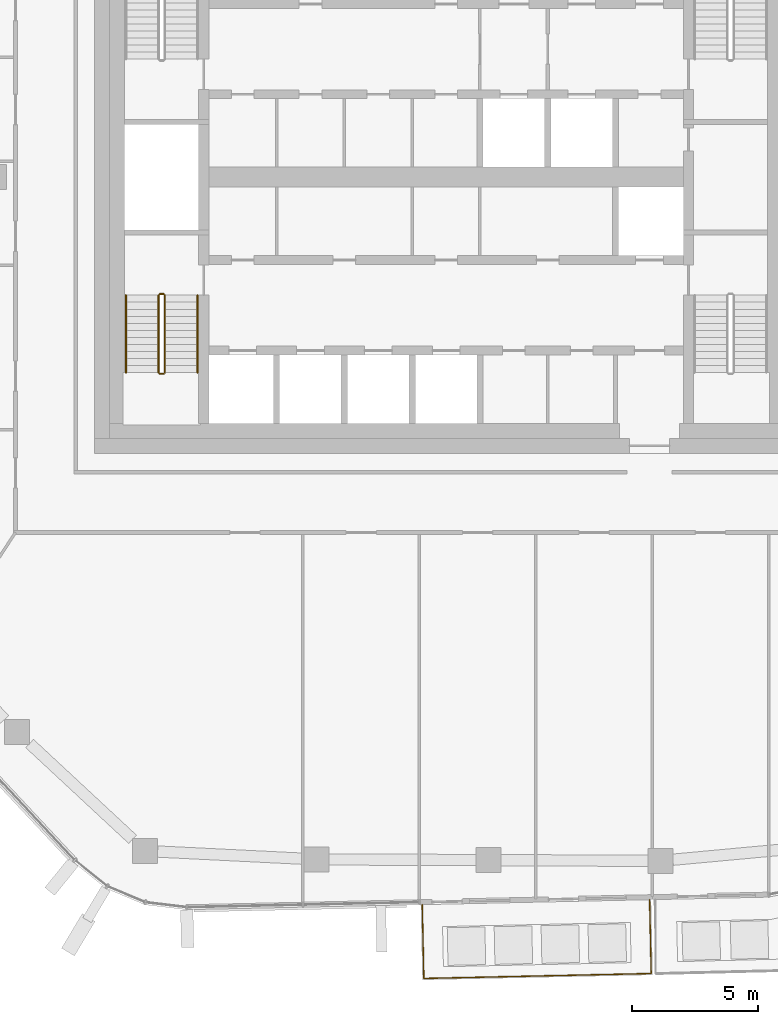
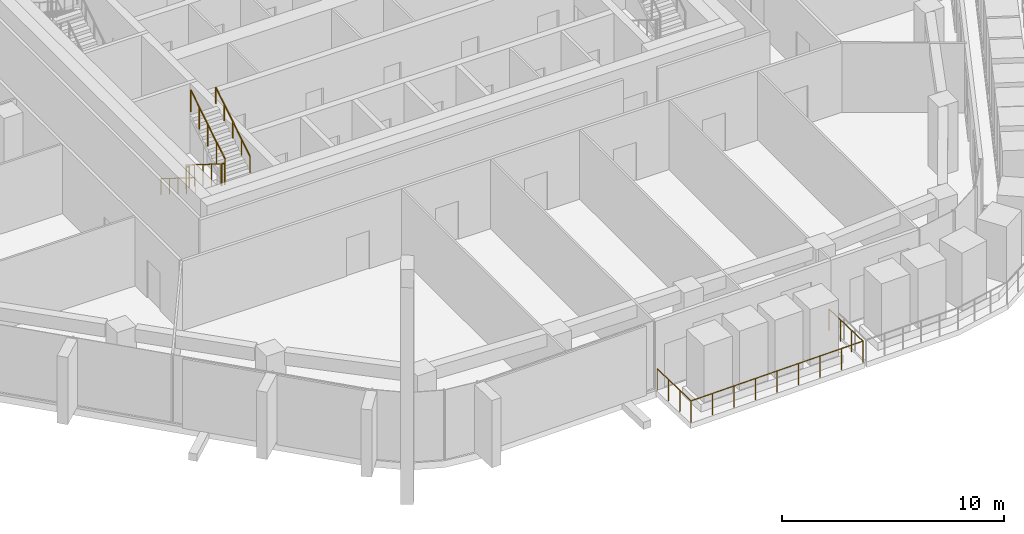
# One storey, part 19 of 24: 7 railings.
"""IFC4 building model written with IfcOpenShell, lengths in metres."""

import ifcopenshell
import ifcopenshell.guid

model = None  # the IFC model being written
_history = None  # IfcOwnerHistory: only IFC2X3 demands one
_inside = {}  # id of a spatial element -> (the spatial element, [elements in it])
_under = {}  # id of a project, library or spatial element -> (it, [spatial elements below it])
_declared = {}  # id of a project -> (the project, [libraries it declares])
_typed = {}  # id of a type object -> (the type object, [elements of that type])
_made_of = {}  # id of a material, layer set ... -> (it, [elements and type objects made of it])


def new_model(schema):
    """Start an empty IFC model of exactly this schema.

    Asked for "IFC4X3", IfcOpenShell would pick the latest addendum, in which some entities
    have other attributes; the version numbers below select the first issue.
    IFC2X3 requires an IfcOwnerHistory on every rooted entity: one is made here for all.
    """
    global model, _history
    if schema == "IFC4X3":
        model = ifcopenshell.file(schema_version=(4, 3, 0, 0))
    else:
        model = ifcopenshell.file(schema=schema)
    _inside.clear()
    _under.clear()
    _declared.clear()
    _typed.clear()
    _made_of.clear()
    _history = None
    if model.schema == "IFC2X3":
        org = make("IfcOrganization", Name="unknown")
        user = make(
            "IfcPersonAndOrganization",
            ThePerson=make("IfcPerson", FamilyName="unknown"),
            TheOrganization=org,
        )
        app = make(
            "IfcApplication",
            ApplicationDeveloper=org,
            Version="unknown",
            ApplicationFullName="unknown",
            ApplicationIdentifier="unknown",
        )
        _history = make(
            "IfcOwnerHistory",
            OwningUser=user,
            OwningApplication=app,
            ChangeAction="ADDED",
            CreationDate=0,
        )
    return model


def make(cls, **values):
    """One entity of the class cls with the attributes given. An attribute that is None is left unset."""
    return model.create_entity(
        cls, **{name: value for name, value in values.items() if value is not None}
    )


def rooted(cls, **values):
    """An entity with a GlobalId (a new one), such as an element, a storey or a relation."""
    return make(cls, GlobalId=ifcopenshell.guid.new(), OwnerHistory=_history, **values)


def si_unit(unit_type, name, prefix=None):
    """IfcSIUnit, for example si_unit("LENGTHUNIT", "METRE", prefix="MILLI")."""
    return make("IfcSIUnit", UnitType=unit_type, Prefix=prefix, Name=name)


def assignment(units):
    """IfcUnitAssignment: the units of a project."""
    return None if units is None else make("IfcUnitAssignment", Units=units)


def point(xyz):
    """IfcCartesianPoint."""
    return None if xyz is None else make("IfcCartesianPoint", Coordinates=xyz)


def direction(xyz):
    """IfcDirection."""
    return None if xyz is None else make("IfcDirection", DirectionRatios=xyz)


def frame(location, z_axis=None, x_axis=None):
    """IfcAxis2Placement3D, a coordinate frame: its origin and axes. An axis left out is left unset."""
    return make(
        "IfcAxis2Placement3D",
        Location=point(location),
        Axis=direction(z_axis),
        RefDirection=direction(x_axis),
    )


def frame_2d(location, x_axis=None):
    """IfcAxis2Placement2D, a coordinate frame in the plane: its origin and x axis."""
    return make(
        "IfcAxis2Placement2D", Location=point(location), RefDirection=direction(x_axis)
    )


def origin():
    """The frame at (0, 0, 0) with its axes left unset."""
    return frame((0.0, 0.0, 0.0))


def origin_2d():
    """The frame at (0, 0) in the plane with its x axis left unset."""
    return frame_2d((0.0, 0.0))


def place(relative_to, where):
    """IfcLocalPlacement: puts the frame where relative to a parent placement (None: the world)."""
    return make(
        "IfcLocalPlacement", PlacementRelTo=relative_to, RelativePlacement=where
    )


def context(
    kind, dimensions, precision=None, world=None, true_north=None, identifier=None
):
    """IfcGeometricRepresentationContext, for example the 3D "Model" context."""
    return make(
        "IfcGeometricRepresentationContext",
        ContextIdentifier=identifier,
        ContextType=kind,
        CoordinateSpaceDimension=dimensions,
        Precision=precision,
        WorldCoordinateSystem=world,
        TrueNorth=true_north,
    )


def subcontext(parent, identifier, kind, view, scale=None):
    """IfcGeometricRepresentationSubContext, for example "Body" below "Model"."""
    return make(
        "IfcGeometricRepresentationSubContext",
        ContextIdentifier=identifier,
        ContextType=kind,
        ParentContext=parent,
        TargetScale=scale,
        TargetView=view,
    )


def project(units=None, contexts=None):
    """IfcProject with its units and contexts."""
    return rooted(
        "IfcProject",
        Name="project",
        RepresentationContexts=contexts,
        UnitsInContext=assignment(units),
    )


def spatial(cls, under=None, at=None, **own):
    """A site, building, storey or space (cls), placed at a placement, below another one or the project."""
    s = rooted(cls, ObjectPlacement=at, **own)
    if under is not None:
        _under.setdefault(under.id(), (under, []))[1].append(s)
    return s


def profile(cls, at=None, kind="AREA", **sizes):
    """A parametric profile (cls). Its sizes go by their IFC names, for example OverallWidth=200.0."""
    return make(cls, ProfileType=kind, Position=at, **sizes)


def circle(**sizes):
    """IfcCircleProfileDef."""
    return profile("IfcCircleProfileDef", **sizes)


def extrude(swept, where, along, depth):
    """IfcExtrudedAreaSolid: the profile swept, set in the frame where, extruded along a direction by depth."""
    return make(
        "IfcExtrudedAreaSolid",
        SweptArea=swept,
        Position=where,
        ExtrudedDirection=direction(along),
        Depth=depth,
    )


def shape(context_of_items, identifier, shape_type, items):
    """IfcShapeRepresentation: the items that make up one representation, for example the "Body"."""
    return make(
        "IfcShapeRepresentation",
        ContextOfItems=context_of_items,
        RepresentationIdentifier=identifier,
        RepresentationType=shape_type,
        Items=items,
    )


def material(Name=None, Category=None):
    """IfcMaterial."""
    return make("IfcMaterial", Name=Name, Category=Category)


def made_of(thing, what):
    """Note that an element or type object is made of a material, layer set ...; save() writes the relation."""
    if what is not None:
        _made_of.setdefault(what.id(), (what, []))[1].append(thing)
    return thing


def type_object(cls, material=None, **own):
    """A type object (cls), such as IfcWallType, which elements share."""
    return made_of(rooted(cls, **own), material)


def element(
    cls,
    number,
    at=None,
    inside=None,
    cuts=None,
    type_object=None,
    material=None,
    context=None,
    identifier="Body",
    shape_type=None,
    held_by="IfcProductDefinitionShape",
    body=None,
    shapes=None,
    **own,
):
    """One element of the class cls, such as IfcWall. Its Tag is "e" and its number.

    at: its placement. inside: the storey or other place that contains it. cuts: it is an
    opening in that element (IfcRelVoidsElement). A single representation is given by context,
    identifier, shape_type and body (its items); several are given by shapes. held_by: the class
    of the entity that holds the representations. save() writes the other relations.
    """
    e = rooted(cls, Tag="e%d" % number, ObjectPlacement=at, **own)
    if body is not None:
        shapes = [shape(context, identifier, shape_type, body)]
    if shapes is not None:
        e.Representation = make(held_by, Representations=shapes)
    if inside is not None:
        _inside.setdefault(inside.id(), (inside, []))[1].append(e)
    if cuts is not None:
        rooted(
            "IfcRelVoidsElement", RelatingBuildingElement=cuts, RelatedOpeningElement=e
        )
    if type_object is not None:
        _typed.setdefault(type_object.id(), (type_object, []))[1].append(e)
    return made_of(e, material)


def aggregate(whole, parts):
    """IfcRelAggregates: a whole, such as a stair, and the parts it consists of."""
    return rooted("IfcRelAggregates", RelatingObject=whole, RelatedObjects=parts)


def save(model, path):
    """Write the relations noted so far, then the file.

    IfcRelAggregates (storeys below a building ...), IfcRelContainedInSpatialStructure (elements
    in a storey), IfcRelDefinesByType, IfcRelAssociatesMaterial and IfcRelDeclares: one each for
    every whole, place, type object, material and project.
    """
    for whole, parts in _under.values():
        aggregate(whole, parts)
    for where, things in _inside.values():
        rooted(
            "IfcRelContainedInSpatialStructure",
            RelatedElements=things,
            RelatingStructure=where,
        )
    for kind, things in _typed.values():
        rooted("IfcRelDefinesByType", RelatedObjects=things, RelatingType=kind)
    for what, things in _made_of.values():
        rooted("IfcRelAssociatesMaterial", RelatedObjects=things, RelatingMaterial=what)
    for by, libraries in _declared.values():
        rooted("IfcRelDeclares", RelatingContext=by, RelatedDefinitions=libraries)
    model.write(path)


model = new_model("IFC4")

# Units and contexts
model_context = context("Model", 3, precision=1e-05, world=origin(), true_north=direction((0.0, 1.0)))
body_context = subcontext(model_context, "Body", "Model", "MODEL_VIEW")
ifc_project = project(units=[si_unit("LENGTHUNIT", "METRE"), si_unit("AREAUNIT", "SQUARE_METRE"), si_unit("VOLUMEUNIT", "CUBIC_METRE"), si_unit("PLANEANGLEUNIT", "RADIAN"), si_unit("MASSUNIT", "GRAM", prefix="KILO")], contexts=[model_context])

# Site, building, storey
site_placement = place(None, origin())
site = spatial("IfcSite", under=ifc_project, at=site_placement, CompositionType="ELEMENT")
building_placement = place(site_placement, origin())
building = spatial("IfcBuilding", under=site, at=building_placement, Name="Dongbaek Canopy Tower", CompositionType="ELEMENT")
storey_placement = place(building_placement, frame((0.0, 0.0, 332.0)))
storey = spatial("IfcBuildingStorey", under=building, at=storey_placement, Name="L71", CompositionType="ELEMENT", Elevation=332.0)

# Railings
ifc_material_1 = material(Name="Stainless steel", Category="steel")
railing_type_1 = type_object("IfcRailingType", Name="Balcony balustrade 1200", PredefinedType="BALUSTRADE", material=ifc_material_1)
railing_1_placement = place(storey_placement, frame((-0.948974609375, -28.97021484375, 0.0)))
element("IfcRailing", 1, at=railing_1_placement, inside=storey, type_object=railing_type_1, Name="Balcony guard L71 4", PredefinedType="BALUSTRADE", context=body_context, shape_type="SweptSolid", body=[
    extrude(circle(Radius=0.02392578125, at=origin_2d()), frame((0.0, 0.0, 1.17578125), z_axis=(0.021672649208, -0.999765120554, 0.0), x_axis=(0.999765120554, 0.021672649208, 0.0)), (0.0, 0.0, 1.0), 2.940185546875),
    extrude(circle(Radius=0.02392578125, at=origin_2d()), frame((0.063720703125, -2.939453125, 1.17578125), z_axis=(0.999765123901, 0.021672494799, 0.0), x_axis=(-0.021672494799, 0.999765123901, 0.0)), (0.0, 0.0, 1.0), 9.05712890625),
    extrude(circle(Radius=0.02392578125, at=origin_2d()), frame((9.11865234375, -2.7431640625, 1.17578125), z_axis=(-0.021672649208, 0.999765120554, 0.0), x_axis=(-0.999765120554, -0.021672649208, 0.0)), (0.0, 0.0, 1.0), 2.940185546875),
    extrude(circle(Radius=0.02099609375, at=origin_2d()), origin(), (0.0, 0.0, 1.0), 1.15185546875),
    extrude(circle(Radius=0.02099609375, at=origin_2d()), frame((0.021240234375, -0.979736328125, 0.0)), (0.0, 0.0, 1.0), 1.15185546875),
    extrude(circle(Radius=0.02099609375, at=origin_2d()), frame((0.04248046875, -1.959716796875, 0.0)), (0.0, 0.0, 1.0), 1.15185546875),
    extrude(circle(Radius=0.02099609375, at=origin_2d()), frame((0.063720703125, -2.939453125, 0.0)), (0.0, 0.0, 1.0), 1.15185546875),
    extrude(circle(Radius=0.02099609375, at=origin_2d()), frame((1.195556640625, -2.9150390625, 0.0)), (0.0, 0.0, 1.0), 1.15185546875),
    extrude(circle(Radius=0.02099609375, at=origin_2d()), frame((2.327392578125, -2.890380859375, 0.0)), (0.0, 0.0, 1.0), 1.15185546875),
    extrude(circle(Radius=0.02099609375, at=origin_2d()), frame((3.459228515625, -2.86572265625, 0.0)), (0.0, 0.0, 1.0), 1.15185546875),
    extrude(circle(Radius=0.02099609375, at=origin_2d()), frame((4.59130859375, -2.84130859375, 0.0)), (0.0, 0.0, 1.0), 1.15185546875),
    extrude(circle(Radius=0.02099609375, at=origin_2d()), frame((5.72314453125, -2.81689453125, 0.0)), (0.0, 0.0, 1.0), 1.15185546875),
    extrude(circle(Radius=0.02099609375, at=origin_2d()), frame((6.85498046875, -2.792236328125, 0.0)), (0.0, 0.0, 1.0), 1.15185546875),
    extrude(circle(Radius=0.02099609375, at=origin_2d()), frame((7.98681640625, -2.767578125, 0.0)), (0.0, 0.0, 1.0), 1.15185546875),
    extrude(circle(Radius=0.02099609375, at=origin_2d()), frame((9.11865234375, -2.7431640625, 0.0)), (0.0, 0.0, 1.0), 1.15185546875),
    extrude(circle(Radius=0.02099609375, at=origin_2d()), frame((9.097412109375, -1.763427734375, 0.0)), (0.0, 0.0, 1.0), 1.15185546875),
    extrude(circle(Radius=0.02099609375, at=origin_2d()), frame((9.076171875, -0.783447265625, 0.0)), (0.0, 0.0, 1.0), 1.15185546875),
    extrude(circle(Radius=0.02099609375, at=origin_2d()), frame((9.054931640625, 0.1962890625, 0.0)), (0.0, 0.0, 1.0), 1.15185546875),
])
ifc_material_2 = material(Name="Stainless steel tube and balusters", Category="steel")
railing_type_2 = type_object("IfcRailingType", Name="Stair guard 1200", PredefinedType="GUARDRAIL", material=ifc_material_2)
railing_2_placement = place(storey_placement, frame((-11.449951171875, -4.699951171875, 0.175048828125)))
element("IfcRailing", 2, at=railing_2_placement, inside=storey, type_object=railing_type_2, Name="L71 ST-D stair guard 1", PredefinedType="GUARDRAIL", context=body_context, shape_type="SweptSolid", body=[
    extrude(circle(Radius=0.02392578125, at=origin_2d()), frame((0.0, 0.0, 1.17578125), z_axis=(0.0, -0.847998304005, 0.529998940003), x_axis=(1.0, 0.0, 0.0)), (0.0, 0.0, 1.0), 3.632080078125),
    extrude(circle(Radius=0.02099609375, at=origin_2d()), origin(), (0.0, 0.0, 1.0), 1.15185546875),
    extrude(circle(Radius=0.02099609375, at=origin_2d()), frame((0.0, -0.77001953125, 0.481201171875)), (0.0, 0.0, 1.0), 1.15185546875),
    extrude(circle(Radius=0.02099609375, at=origin_2d()), frame((0.0, -1.5400390625, 0.96240234375)), (0.0, 0.0, 1.0), 1.15185546875),
    extrude(circle(Radius=0.02099609375, at=origin_2d()), frame((0.0, -2.31005859375, 1.44384765625)), (0.0, 0.0, 1.0), 1.15185546875),
    extrude(circle(Radius=0.02099609375, at=origin_2d()), frame((0.0, -3.080078125, 1.925048828125)), (0.0, 0.0, 1.0), 1.15185546875),
])
railing_3_placement = place(storey_placement, frame((-11.39990234375, -7.830078125, 2.10009765625)))
element("IfcRailing", 3, at=railing_3_placement, inside=storey, type_object=railing_type_2, Name="L71 ST-D stair guard 2", PredefinedType="GUARDRAIL", context=body_context, shape_type="SweptSolid", body=[
    extrude(circle(Radius=0.02392578125, at=origin_2d()), frame((0.0, 0.0, 1.17578125), z_axis=(1.0, 0.0, 0.0), x_axis=(0.0, 1.0, 0.0)), (0.0, 0.0, 1.0), 0.14990234375),
    extrude(circle(Radius=0.02099609375, at=origin_2d()), origin(), (0.0, 0.0, 1.0), 1.15185546875),
    extrude(circle(Radius=0.02099609375, at=origin_2d()), frame((0.14990234375, 0.0, 0.0)), (0.0, 0.0, 1.0), 1.15185546875),
])
railing_4_placement = place(storey_placement, frame((-11.199951171875, -7.780029296875, 2.27490234375)))
element("IfcRailing", 4, at=railing_4_placement, inside=storey, type_object=railing_type_2, Name="L71 ST-D stair guard 3", PredefinedType="GUARDRAIL", context=body_context, shape_type="SweptSolid", body=[
    extrude(circle(Radius=0.02392578125, at=origin_2d()), frame((0.0, 0.0, 1.17578125), z_axis=(0.0, 0.847998304005, 0.529998940003), x_axis=(-1.0, 0.0, 0.0)), (0.0, 0.0, 1.0), 3.632080078125),
    extrude(circle(Radius=0.02099609375, at=origin_2d()), origin(), (0.0, 0.0, 1.0), 1.15185546875),
    extrude(circle(Radius=0.02099609375, at=origin_2d()), frame((0.0, 0.77001953125, 0.481201171875)), (0.0, 0.0, 1.0), 1.15185546875),
    extrude(circle(Radius=0.02099609375, at=origin_2d()), frame((0.0, 1.5400390625, 0.96240234375)), (0.0, 0.0, 1.0), 1.15185546875),
    extrude(circle(Radius=0.02099609375, at=origin_2d()), frame((0.0, 2.31005859375, 1.44384765625)), (0.0, 0.0, 1.0), 1.15185546875),
    extrude(circle(Radius=0.02099609375, at=origin_2d()), frame((0.0, 3.080078125, 1.925048828125)), (0.0, 0.0, 1.0), 1.15185546875),
])
railing_5_placement = place(storey_placement, frame((-11.39990234375, -4.64990234375, 0.0)))
element("IfcRailing", 5, at=railing_5_placement, inside=storey, type_object=railing_type_2, Name="L71 ST-D stair guard 4", PredefinedType="GUARDRAIL", context=body_context, shape_type="SweptSolid", body=[
    extrude(circle(Radius=0.02392578125, at=origin_2d()), frame((0.0, 0.0, 1.17578125), z_axis=(1.0, 0.0, 0.0), x_axis=(0.0, 1.0, 0.0)), (0.0, 0.0, 1.0), 0.14990234375),
    extrude(circle(Radius=0.02099609375, at=origin_2d()), origin(), (0.0, 0.0, 1.0), 1.15185546875),
    extrude(circle(Radius=0.02099609375, at=origin_2d()), frame((0.14990234375, 0.0, 0.0)), (0.0, 0.0, 1.0), 1.15185546875),
])
ifc_material_3 = material(Name="Stainless steel tube", Category="steel")
railing_type_3 = type_object("IfcRailingType", Name="Stair handrail 900", PredefinedType="HANDRAIL", material=ifc_material_3)
railing_6_placement = place(storey_placement, frame((-12.75, -4.699951171875, 0.175048828125)))
element("IfcRailing", 6, at=railing_6_placement, inside=storey, type_object=railing_type_3, Name="L71 ST-D stair handrail 1", PredefinedType="HANDRAIL", context=body_context, shape_type="SweptSolid", body=[
    extrude(circle(Radius=0.02392578125, at=origin_2d()), frame((0.0, 0.0, 0.8759765625), z_axis=(0.0, -0.847998304005, 0.529998940003), x_axis=(1.0, 0.0, 0.0)), (0.0, 0.0, 1.0), 3.632080078125),
    extrude(circle(Radius=0.02099609375, at=origin_2d()), origin(), (0.0, 0.0, 1.0), 0.851806640625),
    extrude(circle(Radius=0.02099609375, at=origin_2d()), frame((0.0, -0.77001953125, 0.481201171875)), (0.0, 0.0, 1.0), 0.851806640625),
    extrude(circle(Radius=0.02099609375, at=origin_2d()), frame((0.0, -1.5400390625, 0.96240234375)), (0.0, 0.0, 1.0), 0.851806640625),
    extrude(circle(Radius=0.02099609375, at=origin_2d()), frame((0.0, -2.31005859375, 1.44384765625)), (0.0, 0.0, 1.0), 0.851806640625),
    extrude(circle(Radius=0.02099609375, at=origin_2d()), frame((0.0, -3.080078125, 1.925048828125)), (0.0, 0.0, 1.0), 0.851806640625),
])
railing_7_placement = place(storey_placement, frame((-9.89990234375, -7.780029296875, 2.27490234375)))
element("IfcRailing", 7, at=railing_7_placement, inside=storey, type_object=railing_type_3, Name="L71 ST-D stair handrail 2", PredefinedType="HANDRAIL", context=body_context, shape_type="SweptSolid", body=[
    extrude(circle(Radius=0.02392578125, at=origin_2d()), frame((0.0, 0.0, 0.8759765625), z_axis=(0.0, 0.847998304005, 0.529998940003), x_axis=(-1.0, 0.0, 0.0)), (0.0, 0.0, 1.0), 3.632080078125),
    extrude(circle(Radius=0.02099609375, at=origin_2d()), origin(), (0.0, 0.0, 1.0), 0.851806640625),
    extrude(circle(Radius=0.02099609375, at=origin_2d()), frame((0.0, 0.77001953125, 0.481201171875)), (0.0, 0.0, 1.0), 0.851806640625),
    extrude(circle(Radius=0.02099609375, at=origin_2d()), frame((0.0, 1.5400390625, 0.96240234375)), (0.0, 0.0, 1.0), 0.851806640625),
    extrude(circle(Radius=0.02099609375, at=origin_2d()), frame((0.0, 2.31005859375, 1.44384765625)), (0.0, 0.0, 1.0), 0.851806640625),
    extrude(circle(Radius=0.02099609375, at=origin_2d()), frame((0.0, 3.080078125, 1.925048828125)), (0.0, 0.0, 1.0), 0.851806640625),
])

save(model, "model.ifc")
